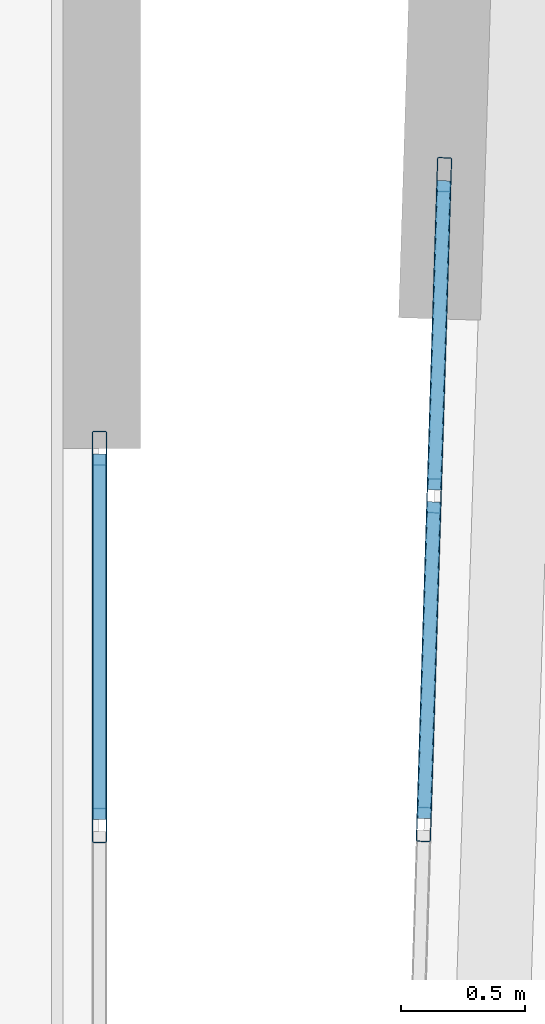
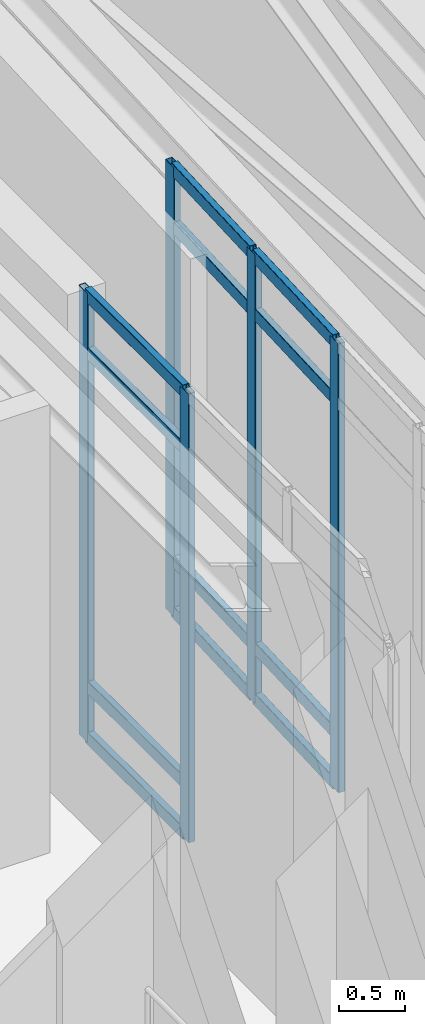
# One storey, part 11 of 19: 17 members, 2 elements without a shape of their own.
"""IFC4 building model written with IfcOpenShell, lengths in metres."""

from ifc_helpers import new_model, si_unit, direction, frame, origin, origin_2d, place, context, subcontext, project, spatial, hollow_rectangle, extrude, material, layer, layer_set, material_profile, profile_set, type_object, element, aggregate, save


model = new_model("IFC4")

# Units and contexts
model_context = context("Model", 3, precision=1e-05, world=origin(), true_north=direction((0.0, 1.0)))
body_context = subcontext(model_context, "Body", "Model", "MODEL_VIEW")
ifc_project = project(units=[si_unit("LENGTHUNIT", "METRE"), si_unit("AREAUNIT", "SQUARE_METRE"), si_unit("VOLUMEUNIT", "CUBIC_METRE"), si_unit("PLANEANGLEUNIT", "RADIAN"), si_unit("MASSUNIT", "GRAM", prefix="KILO")], contexts=[model_context])

# Site, building, storey
site_placement = place(None, origin())
site = spatial("IfcSite", under=ifc_project, at=site_placement, CompositionType="ELEMENT")
building_placement = place(site_placement, origin())
building = spatial("IfcBuilding", under=site, at=building_placement, Name="Ndelora Gate Hotel", CompositionType="ELEMENT")
storey_placement = place(building_placement, frame((0.0, 0.0, 299.199951171875)))
storey = spatial("IfcBuildingStorey", under=building, at=storey_placement, Name="L74", CompositionType="ELEMENT", Elevation=299.199951171875)

# Curtain wall, members
ifc_material_1 = material(Name="Bronze Anodised Unitised Aluminium and Low-E Glass", Category="aluminium")
ifc_layer = layer(ifc_material_1, 0.199951171875)
ifc_layer_set = layer_set([ifc_layer], Name="Bronze Anodised Unitised Aluminium and Low-E Glass")
curtain_wall_type = type_object("IfcCurtainWallType", Name="CW-SYS-8", PredefinedType="NOTDEFINED", material=ifc_layer_set)
curtain_wall_1_placement = place(storey_placement, origin())
curtain_wall_1 = element("IfcCurtainWall", 1, at=curtain_wall_1_placement, inside=storey, type_object=curtain_wall_type, Name="L74 Split-Crown West Cleft Lantern Curtain Wall CW8-2", PredefinedType="NOTDEFINED")
ifc_material_2 = material(Name="Bronze Anodised Aluminium 6063-T6", Category="aluminium")
ifc_material_profile_1 = material_profile(ifc_material_2, hollow_rectangle(XDim=0.06005859375, YDim=0.139892578125, WallThickness=0.00390625, InnerFilletRadius=0.00390625, OuterFilletRadius=0.008056640625, at=origin_2d()), Name="ALU 140x60x4")
ifc_profile_set_1 = profile_set([ifc_material_profile_1], Name="Bronze Anodised Aluminium 6063-T6")
member_type_1 = type_object("IfcMemberType", Name="MB-CW-MUL140", PredefinedType="MULLION", material=ifc_profile_set_1)
member_1_placement = place(storey_placement, frame((8.85009765625, 4.0, -0.00390625), z_axis=(0.0, 0.0, 1.0), x_axis=(-1.0, 0.0, 0.0)))
member_1 = element("IfcMember", 2, at=member_1_placement, type_object=member_type_1, Name="CW8 mullion 3", PredefinedType="MULLION", context=body_context, shape_type="SweptSolid", body=[
    extrude(hollow_rectangle(XDim=0.06005859375, YDim=0.139892578125, WallThickness=0.00390625, InnerFilletRadius=0.00390625, OuterFilletRadius=0.008056640625, at=origin_2d()), origin(), (0.0, 0.0, 1.0), 4.1279296875),
])
member_2_placement = place(storey_placement, frame((8.85009765625, 5.52001953125, -0.00390625), z_axis=(0.0, 0.0, 1.0), x_axis=(-1.0, 0.0, 0.0)))
member_2 = element("IfcMember", 3, at=member_2_placement, type_object=member_type_1, Name="CW8 mullion 4", PredefinedType="MULLION", context=body_context, shape_type="SweptSolid", body=[
    extrude(hollow_rectangle(XDim=0.06005859375, YDim=0.139892578125, WallThickness=0.00390625, InnerFilletRadius=0.00390625, OuterFilletRadius=0.008056640625, at=origin_2d()), origin(), (0.0, 0.0, 1.0), 4.1279296875),
])

curtain_wall_2_placement = place(storey_placement, origin())
curtain_wall_2 = element("IfcCurtainWall", 4, at=curtain_wall_2_placement, inside=storey, type_object=curtain_wall_type, Name="L74 Split-Crown East Cleft Lantern Curtain Wall CW8", PredefinedType="NOTDEFINED")
member_3_placement = place(storey_placement, frame((10.23876953125, 6.622314453125, -0.00390625), z_axis=(0.0, 0.0, 1.0), x_axis=(0.999515302198, -0.031131345484, 0.0)))
member_3 = element("IfcMember", 5, at=member_3_placement, type_object=member_type_1, Name="CW8 mullion 1", PredefinedType="MULLION", context=body_context, shape_type="SweptSolid", body=[
    extrude(hollow_rectangle(XDim=0.06005859375, YDim=0.139892578125, WallThickness=0.00390625, InnerFilletRadius=0.00390625, OuterFilletRadius=0.008056640625, at=origin_2d()), origin(), (0.0, 0.0, 1.0), 4.1279296875),
])
member_4_placement = place(storey_placement, frame((10.198486328125, 5.328125, -0.00390625), z_axis=(0.0, 0.0, 1.0), x_axis=(0.999515302198, -0.031131345484, 0.0)))
member_4 = element("IfcMember", 6, at=member_4_placement, type_object=member_type_1, Name="CW8 mullion 2", PredefinedType="MULLION", context=body_context, shape_type="SweptSolid", body=[
    extrude(hollow_rectangle(XDim=0.06005859375, YDim=0.139892578125, WallThickness=0.00390625, InnerFilletRadius=0.00390625, OuterFilletRadius=0.008056640625, at=origin_2d()), origin(), (0.0, 0.0, 1.0), 4.1279296875),
])
member_5_placement = place(storey_placement, frame((10.1572265625, 4.004150390625, -0.00390625), z_axis=(0.0, 0.0, 1.0), x_axis=(0.999515302198, -0.031131345484, 0.0)))
member_5 = element("IfcMember", 7, at=member_5_placement, type_object=member_type_1, Name="CW8 mullion 3", PredefinedType="MULLION", context=body_context, shape_type="SweptSolid", body=[
    extrude(hollow_rectangle(XDim=0.06005859375, YDim=0.139892578125, WallThickness=0.00390625, InnerFilletRadius=0.00390625, OuterFilletRadius=0.008056640625, at=origin_2d()), origin(), (0.0, 0.0, 1.0), 4.1279296875),
])

# Member
ifc_material_profile_2 = material_profile(ifc_material_2, hollow_rectangle(XDim=0.06005859375, YDim=0.1201171875, WallThickness=0.00390625, InnerFilletRadius=0.00390625, OuterFilletRadius=0.008056640625, at=origin_2d()), Name="ALU 120x60x4")
ifc_profile_set_2 = profile_set([ifc_material_profile_2], Name="Bronze Anodised Aluminium 6063-T6")
member_type_2 = type_object("IfcMemberType", Name="MB-CW-TRN120", PredefinedType="USERDEFINED", material=ifc_profile_set_2)
member_6_placement = place(storey_placement, frame((8.85009765625, 4.02392578125, 0.030029296875), z_axis=(0.0, 1.0, 0.0), x_axis=(-1.0, 0.0, 0.0)))
member_6 = element("IfcMember", 8, at=member_6_placement, type_object=member_type_2, Name="CW8 transom 3.1", ObjectType="TRANSOM", PredefinedType="USERDEFINED", context=body_context, shape_type="SweptSolid", body=[
    extrude(hollow_rectangle(XDim=0.06005859375, YDim=0.1201171875, WallThickness=0.00390625, InnerFilletRadius=0.00390625, OuterFilletRadius=0.008056640625, at=origin_2d()), origin(), (0.0, 0.0, 1.0), 1.47216796875),
])

member_7_placement = place(storey_placement, frame((8.85009765625, 4.02392578125, 0.5), z_axis=(0.0, 1.0, 0.0), x_axis=(-1.0, 0.0, 0.0)))
member_7 = element("IfcMember", 9, at=member_7_placement, type_object=member_type_2, Name="CW8 transom 3.2", ObjectType="TRANSOM", PredefinedType="USERDEFINED", context=body_context, shape_type="SweptSolid", body=[
    extrude(hollow_rectangle(XDim=0.06005859375, YDim=0.1201171875, WallThickness=0.00390625, InnerFilletRadius=0.00390625, OuterFilletRadius=0.008056640625, at=origin_2d()), origin(), (0.0, 0.0, 1.0), 1.47216796875),
])

member_8_placement = place(storey_placement, frame((8.85009765625, 4.02392578125, 3.570068359375), z_axis=(0.0, 1.0, 0.0), x_axis=(-1.0, 0.0, 0.0)))
member_8 = element("IfcMember", 10, at=member_8_placement, type_object=member_type_2, Name="CW8 transom 3.3", ObjectType="TRANSOM", PredefinedType="USERDEFINED", context=body_context, shape_type="SweptSolid", body=[
    extrude(hollow_rectangle(XDim=0.06005859375, YDim=0.1201171875, WallThickness=0.00390625, InnerFilletRadius=0.00390625, OuterFilletRadius=0.008056640625, at=origin_2d()), origin(), (0.0, 0.0, 1.0), 1.47216796875),
])

member_9_placement = place(storey_placement, frame((8.85009765625, 4.02392578125, 4.090087890625), z_axis=(0.0, 1.0, 0.0), x_axis=(-1.0, 0.0, 0.0)))
member_9 = element("IfcMember", 11, at=member_9_placement, type_object=member_type_2, Name="CW8 transom 3.4", ObjectType="TRANSOM", PredefinedType="USERDEFINED", context=body_context, shape_type="SweptSolid", body=[
    extrude(hollow_rectangle(XDim=0.06005859375, YDim=0.1201171875, WallThickness=0.00390625, InnerFilletRadius=0.00390625, OuterFilletRadius=0.008056640625, at=origin_2d()), origin(), (0.0, 0.0, 1.0), 1.47216796875),
])

aggregate(curtain_wall_1, [member_1, member_2, member_6, member_7, member_8, member_9])

member_10_placement = place(storey_placement, frame((10.238037109375, 6.59814453125, 0.030029296875), z_axis=(-0.031143028646, -0.999514938241, 0.0), x_axis=(0.999514938241, -0.031143028646, 0.0)))
member_10 = element("IfcMember", 12, at=member_10_placement, type_object=member_type_2, Name="CW8 transom 1.1", ObjectType="TRANSOM", PredefinedType="USERDEFINED", context=body_context, shape_type="SweptSolid", body=[
    extrude(hollow_rectangle(XDim=0.06005859375, YDim=0.1201171875, WallThickness=0.00390625, InnerFilletRadius=0.00390625, OuterFilletRadius=0.008056640625, at=origin_2d()), origin(), (0.0, 0.0, 1.0), 1.246337890625),
])

member_11_placement = place(storey_placement, frame((10.238037109375, 6.59814453125, 0.5), z_axis=(-0.031143028646, -0.999514938241, 0.0), x_axis=(0.999514938241, -0.031143028646, 0.0)))
member_11 = element("IfcMember", 13, at=member_11_placement, type_object=member_type_2, Name="CW8 transom 1.2", ObjectType="TRANSOM", PredefinedType="USERDEFINED", context=body_context, shape_type="SweptSolid", body=[
    extrude(hollow_rectangle(XDim=0.06005859375, YDim=0.1201171875, WallThickness=0.00390625, InnerFilletRadius=0.00390625, OuterFilletRadius=0.008056640625, at=origin_2d()), origin(), (0.0, 0.0, 1.0), 1.246337890625),
])

member_12_placement = place(storey_placement, frame((10.238037109375, 6.59814453125, 3.570068359375), z_axis=(-0.031143028646, -0.999514938241, 0.0), x_axis=(0.999514938241, -0.031143028646, 0.0)))
member_12 = element("IfcMember", 14, at=member_12_placement, type_object=member_type_2, Name="CW8 transom 1.3", ObjectType="TRANSOM", PredefinedType="USERDEFINED", context=body_context, shape_type="SweptSolid", body=[
    extrude(hollow_rectangle(XDim=0.06005859375, YDim=0.1201171875, WallThickness=0.00390625, InnerFilletRadius=0.00390625, OuterFilletRadius=0.008056640625, at=origin_2d()), origin(), (0.0, 0.0, 1.0), 1.246337890625),
])

member_13_placement = place(storey_placement, frame((10.238037109375, 6.59814453125, 4.090087890625), z_axis=(-0.031143028646, -0.999514938241, 0.0), x_axis=(0.999514938241, -0.031143028646, 0.0)))
member_13 = element("IfcMember", 15, at=member_13_placement, type_object=member_type_2, Name="CW8 transom 1.4", ObjectType="TRANSOM", PredefinedType="USERDEFINED", context=body_context, shape_type="SweptSolid", body=[
    extrude(hollow_rectangle(XDim=0.06005859375, YDim=0.1201171875, WallThickness=0.00390625, InnerFilletRadius=0.00390625, OuterFilletRadius=0.008056640625, at=origin_2d()), origin(), (0.0, 0.0, 1.0), 1.246337890625),
])

member_14_placement = place(storey_placement, frame((10.19775390625, 5.30419921875, 0.030029296875), z_axis=(-0.031175042529, -0.999513940235, 0.0), x_axis=(0.999513940235, -0.031175042529, 0.0)))
member_14 = element("IfcMember", 16, at=member_14_placement, type_object=member_type_2, Name="CW8 transom 2.1", ObjectType="TRANSOM", PredefinedType="USERDEFINED", context=body_context, shape_type="SweptSolid", body=[
    extrude(hollow_rectangle(XDim=0.06005859375, YDim=0.1201171875, WallThickness=0.00390625, InnerFilletRadius=0.00390625, OuterFilletRadius=0.008056640625, at=origin_2d()), origin(), (0.0, 0.0, 1.0), 1.276611328125),
])

member_15_placement = place(storey_placement, frame((10.19775390625, 5.30419921875, 0.5), z_axis=(-0.031175042529, -0.999513940235, 0.0), x_axis=(0.999513940235, -0.031175042529, 0.0)))
member_15 = element("IfcMember", 17, at=member_15_placement, type_object=member_type_2, Name="CW8 transom 2.2", ObjectType="TRANSOM", PredefinedType="USERDEFINED", context=body_context, shape_type="SweptSolid", body=[
    extrude(hollow_rectangle(XDim=0.06005859375, YDim=0.1201171875, WallThickness=0.00390625, InnerFilletRadius=0.00390625, OuterFilletRadius=0.008056640625, at=origin_2d()), origin(), (0.0, 0.0, 1.0), 1.276611328125),
])

member_16_placement = place(storey_placement, frame((10.19775390625, 5.30419921875, 3.570068359375), z_axis=(-0.031175042529, -0.999513940235, 0.0), x_axis=(0.999513940235, -0.031175042529, 0.0)))
member_16 = element("IfcMember", 18, at=member_16_placement, type_object=member_type_2, Name="CW8 transom 2.3", ObjectType="TRANSOM", PredefinedType="USERDEFINED", context=body_context, shape_type="SweptSolid", body=[
    extrude(hollow_rectangle(XDim=0.06005859375, YDim=0.1201171875, WallThickness=0.00390625, InnerFilletRadius=0.00390625, OuterFilletRadius=0.008056640625, at=origin_2d()), origin(), (0.0, 0.0, 1.0), 1.276611328125),
])

member_17_placement = place(storey_placement, frame((10.19775390625, 5.30419921875, 4.090087890625), z_axis=(-0.031175042529, -0.999513940235, 0.0), x_axis=(0.999513940235, -0.031175042529, 0.0)))
member_17 = element("IfcMember", 19, at=member_17_placement, type_object=member_type_2, Name="CW8 transom 2.4", ObjectType="TRANSOM", PredefinedType="USERDEFINED", context=body_context, shape_type="SweptSolid", body=[
    extrude(hollow_rectangle(XDim=0.06005859375, YDim=0.1201171875, WallThickness=0.00390625, InnerFilletRadius=0.00390625, OuterFilletRadius=0.008056640625, at=origin_2d()), origin(), (0.0, 0.0, 1.0), 1.276611328125),
])

aggregate(curtain_wall_2, [member_3, member_4, member_5, member_10, member_11, member_12, member_13, member_14, member_15, member_16, member_17])

save(model, "model.ifc")
